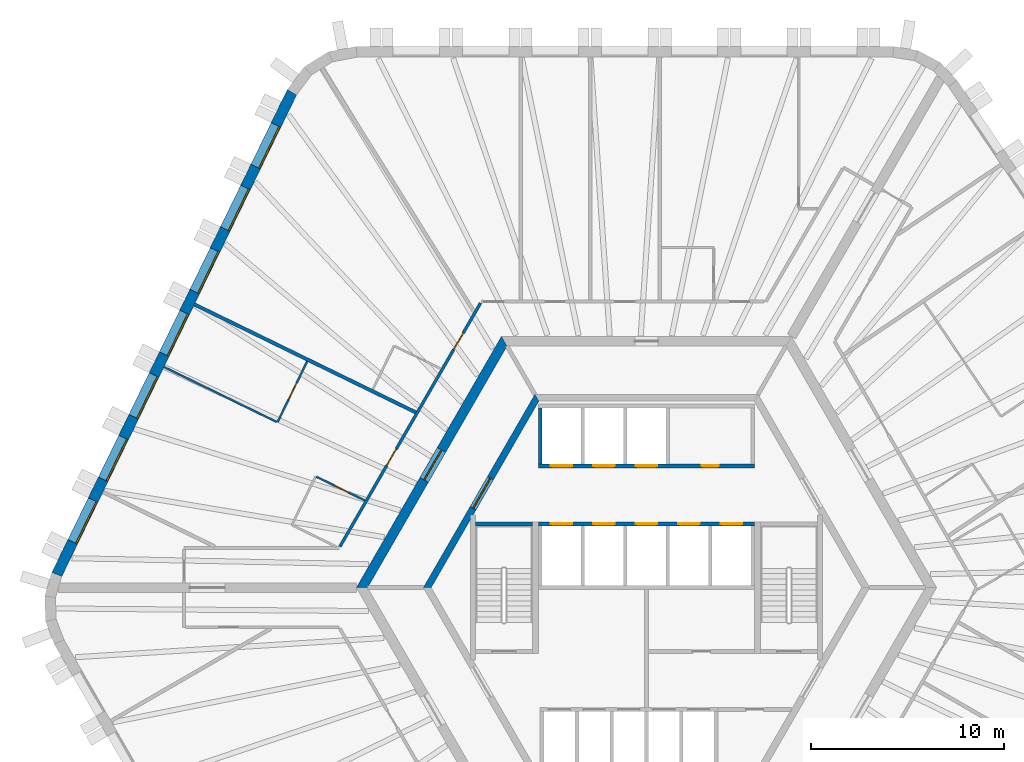
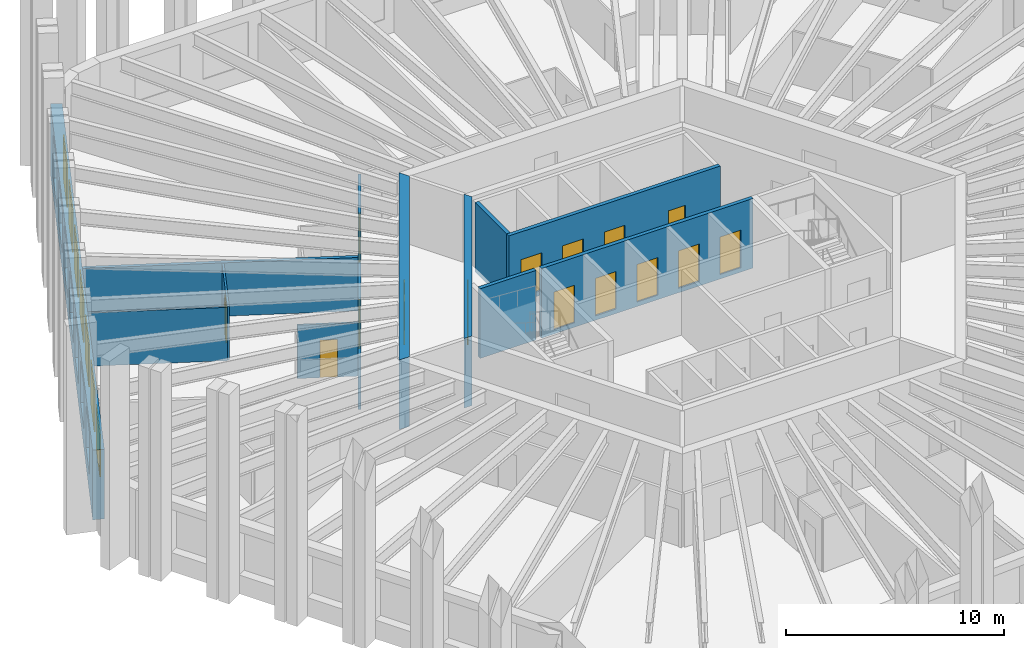
# One storey, part 6 of 9: 15 doors, 12 walls, 7 windows, 22 openings.
"""IFC4 building model written with IfcOpenShell, lengths in metres."""

from ifc_helpers import new_model, si_unit, direction, frame, frame_2d, origin, place, context, subcontext, project, spatial, polyline, rectangle, outline, extrude, material, layer, layer_set, type_object, element, fill, save


model = new_model("IFC4")

# Units and contexts
model_context = context("Model", 3, precision=1e-05, world=origin(), true_north=direction((0.0, 1.0)))
body_context = subcontext(model_context, "Body", "Model", "MODEL_VIEW")
ifc_project = project(units=[si_unit("LENGTHUNIT", "METRE"), si_unit("AREAUNIT", "SQUARE_METRE"), si_unit("VOLUMEUNIT", "CUBIC_METRE"), si_unit("PLANEANGLEUNIT", "RADIAN"), si_unit("MASSUNIT", "GRAM", prefix="KILO")], contexts=[model_context])

# Site, building, storey
site_placement = place(None, origin())
site = spatial("IfcSite", under=ifc_project, at=site_placement, CompositionType="ELEMENT")
building_placement = place(site_placement, origin())
building = spatial("IfcBuilding", under=site, at=building_placement, Name="Tarnside Tower", CompositionType="ELEMENT")
storey_placement = place(building_placement, frame((0.0, 0.0, 215.10009765625)))
storey = spatial("IfcBuildingStorey", under=building, at=storey_placement, Name="L51", CompositionType="ELEMENT", Elevation=215.10009765625)

# Wall, opening, door
ifc_material_1 = material(Name="Gypsum board partition on steel studs", Category="steel")
ifc_layer_1 = layer(ifc_material_1, 0.10009765625)
ifc_layer_set_1 = layer_set([ifc_layer_1], Name="Bathroom wall 100")
wall_type_1 = type_object("IfcWallType", Name="Bathroom wall 100", PredefinedType="PARTITIONING", material=ifc_layer_set_1)
wall_1_placement = place(storey_placement, frame((-17.0771484375, 5.736572265625, 0.0), z_axis=(0.0, 0.0, 1.0), x_axis=(0.898777698277, -0.438404663616, 0.0)))
wall_1 = element("IfcWall", 1, at=wall_1_placement, inside=storey, type_object=wall_type_1, Name="Bathroom wall 17062", PredefinedType="PARTITIONING", context=body_context, shape_type="SweptSolid", body=[
    extrude(rectangle(XDim=2.78955078125, YDim=0.10009765625, at=frame_2d((1.394775390625, 0.0))), origin(), (0.0, 0.0, 1.0), 2.98779296875),
])
opening_1_placement = place(wall_1_placement, frame((1.050048828125, 0.0, 0.0)))
opening_1 = element("IfcOpeningElement", 2, at=opening_1_placement, cuts=wall_1, Name="Opening D-B1", PredefinedType="OPENING", context=body_context, shape_type="SweptSolid", body=[
    extrude(rectangle(XDim=0.800048828125, YDim=2.10009765625, at=frame_2d((0.39990234375, 1.050048828125))), frame((0.0, 0.06005859375, 0.0), z_axis=(0.0, -1.0, 0.0), x_axis=(1.0, 0.0, 0.0)), (0.0, 0.0, 1.0), 0.1201171875),
])
ifc_material_2 = material(Name="Timber door leaf", Category="wood")
door_type_1 = type_object("IfcDoorType", Name="Bathroom door 800", OperationType="NOTDEFINED", PredefinedType="DOOR", material=ifc_material_2)
door_1_placement = place(opening_1_placement, origin())
door_1 = element("IfcDoor", 3, at=door_1_placement, inside=storey, type_object=door_type_1, Name="Bathroom door 17010", OperationType="SINGLE_SWING_LEFT", OverallHeight=2.10009765625, OverallWidth=0.800048828125, PredefinedType="DOOR", context=body_context, shape_type="SweptSolid", body=[
    extrude(rectangle(XDim=0.800048828125, YDim=2.10009765625, at=frame_2d((0.39990234375, 1.050048828125))), frame((0.0, 0.02490234375, 0.0), z_axis=(0.0, -1.0, 0.0), x_axis=(1.0, 0.0, 0.0)), (0.0, 0.0, 1.0), 0.050048828125),
])
fill(opening_1, door_1)

ifc_material_3 = material(Name="Concrete C50/60", Category="concrete")
ifc_layer_2 = layer(ifc_material_3, 0.35009765625)
ifc_layer_set_2 = layer_set([ifc_layer_2], Name="Core block wall 350 C50/60")
wall_type_2 = type_object("IfcWallType", Name="Core block wall 350 C50/60", PredefinedType="SHEAR", material=ifc_layer_set_2)
wall_2_placement = place(storey_placement, frame((-5.672607421875, 9.824951171875, -0.150146484375), z_axis=(0.0, 0.0, 1.0), x_axis=(-0.499995046907, -0.866028263435, 0.0)))
wall_2 = element("IfcWall", 4, at=wall_2_placement, inside=storey, type_object=wall_type_2, Name="L51 core block wall face 2", PredefinedType="SHEAR", context=body_context, shape_type="SweptSolid", body=[
    extrude(outline(polyline([(-0.10107421875, -0.175048828125), (11.44580078125, -0.175048828125), (11.24365234375, 0.175048828125), (0.10107421875, 0.175048828125), (-0.10107421875, -0.175048828125)])), origin(), (0.0, 0.0, 1.0), 3.900146484375),
])
opening_2_placement = place(wall_2_placement, frame((4.80126953125, 0.0, 0.14990234375)))
opening_2 = element("IfcOpeningElement", 5, at=opening_2_placement, cuts=wall_2, Name="Opening CD-LOB", PredefinedType="OPENING", context=body_context, shape_type="SweptSolid", body=[
    extrude(rectangle(XDim=1.800048828125, YDim=2.39990234375, at=frame_2d((0.89990234375, 1.199951171875))), frame((0.0, 0.18505859375, 0.0), z_axis=(0.0, -1.0, 0.0), x_axis=(1.0, 0.0, 0.0)), (0.0, 0.0, 1.0), 0.3701171875),
])
ifc_material_4 = material(Name="Steel fire door", Category="steel")
door_type_2 = type_object("IfcDoorType", Name="Lobby double door FD30S 1800x2400", OperationType="NOTDEFINED", PredefinedType="DOOR", material=ifc_material_4)
door_2_placement = place(opening_2_placement, origin())
door_2 = element("IfcDoor", 6, at=door_2_placement, inside=storey, type_object=door_type_2, Name="L51 lobby block door P1", OperationType="DOUBLE_DOOR_SINGLE_SWING", OverallHeight=2.39990234375, OverallWidth=1.800048828125, PredefinedType="DOOR", context=body_context, shape_type="SweptSolid", body=[
    extrude(rectangle(XDim=1.800048828125, YDim=2.39990234375, at=frame_2d((0.89990234375, 1.199951171875))), frame((0.0, 0.02490234375, 0.0), z_axis=(0.0, -1.0, 0.0), x_axis=(1.0, 0.0, 0.0)), (0.0, 0.0, 1.0), 0.050048828125),
])
fill(opening_2, door_2)

ifc_material_5 = material(Name="Concrete C70/85", Category="concrete")
ifc_layer_3 = layer(ifc_material_5, 0.5)
ifc_layer_set_3 = layer_set([ifc_layer_3], Name="Core wall Z2 500 C70/85")
wall_type_3 = type_object("IfcWallType", Name="Core wall Z2 500 C70/85", PredefinedType="SHEAR", material=ifc_layer_set_3)
wall_3_placement = place(storey_placement, frame((-7.361083984375, 12.75, -0.150146484375), z_axis=(0.0, 0.0, 1.0), x_axis=(-0.50000571537, -0.866022103989, 0.0)))
wall_3 = element("IfcWall", 7, at=wall_3_placement, inside=storey, type_object=wall_type_3, Name="L51 core wall face 2", PredefinedType="SHEAR", context=body_context, shape_type="SweptSolid", body=[
    extrude(outline(polyline([(-0.144287109375, -0.25), (14.86669921875, -0.25), (14.578125, 0.25), (0.144287109375, 0.25), (-0.144287109375, -0.25)])), origin(), (0.0, 0.0, 1.0), 3.900146484375),
])
opening_3_placement = place(wall_3_placement, frame((6.489990234375, 0.0, 0.14990234375)))
opening_3 = element("IfcOpeningElement", 8, at=opening_3_placement, cuts=wall_3, Name="Opening CD-LOB", PredefinedType="OPENING", context=body_context, shape_type="SweptSolid", body=[
    extrude(rectangle(XDim=1.800048828125, YDim=2.39990234375, at=frame_2d((0.89990234375, 1.199951171875))), frame((0.0, 0.260009765625, 0.0), z_axis=(0.0, -1.0, 0.0), x_axis=(1.0, 0.0, 0.0)), (0.0, 0.0, 1.0), 0.52001953125),
])
door_3_placement = place(opening_3_placement, origin())
door_3 = element("IfcDoor", 9, at=door_3_placement, inside=storey, type_object=door_type_2, Name="L51 core door P1", OperationType="DOUBLE_DOOR_SINGLE_SWING", OverallHeight=2.39990234375, OverallWidth=1.800048828125, PredefinedType="DOOR", context=body_context, shape_type="SweptSolid", body=[
    extrude(rectangle(XDim=1.800048828125, YDim=2.39990234375, at=frame_2d((0.89990234375, 1.199951171875))), frame((0.0, 0.02490234375, 0.0), z_axis=(0.0, -1.0, 0.0), x_axis=(1.0, 0.0, 0.0)), (0.0, 0.0, 1.0), 0.050048828125),
])
fill(opening_3, door_3)

# Wall, openings, doors
ifc_layer_4 = layer(ifc_material_1, 0.14990234375)
ifc_layer_set_4 = layer_set([ifc_layer_4], Name="Corridor wall 150 EI 60")
wall_type_4 = type_object("IfcWallType", Name="Corridor wall 150 EI 60", PredefinedType="PARTITIONING", material=ifc_layer_set_4)
wall_4_placement = place(storey_placement, frame((-8.588134765625, 14.72509765625, 0.0), z_axis=(0.0, 0.0, 1.0), x_axis=(-0.499999403554, -0.866025748143, 0.0)))
wall_4 = element("IfcWall", 10, at=wall_4_placement, inside=storey, type_object=wall_type_4, Name="Corridor wall 17009", PredefinedType="PARTITIONING", context=body_context, shape_type="SweptSolid", body=[
    extrude(rectangle(XDim=14.54931640625, YDim=0.14990234375, at=frame_2d((7.274658203125, 0.0))), origin(), (0.0, 0.0, 1.0), 2.98779296875),
])
opening_4_placement = place(wall_4_placement, frame((1.781494140625, 0.0, 0.0)))
opening_4 = element("IfcOpeningElement", 11, at=opening_4_placement, cuts=wall_4, Name="Opening D-E1", PredefinedType="OPENING", context=body_context, shape_type="SweptSolid", body=[
    extrude(rectangle(XDim=1.0, YDim=2.10009765625, at=frame_2d((0.5, 1.050048828125))), frame((0.0, 0.0849609375, 0.0), z_axis=(0.0, -1.0, 0.0), x_axis=(1.0, 0.0, 0.0)), (0.0, 0.0, 1.0), 0.169921875),
])
opening_5_placement = place(wall_4_placement, frame((8.705322265625, 0.0, 0.0)))
opening_5 = element("IfcOpeningElement", 12, at=opening_5_placement, cuts=wall_4, Name="Opening D-E1", PredefinedType="OPENING", context=body_context, shape_type="SweptSolid", body=[
    extrude(rectangle(XDim=1.0, YDim=2.10009765625, at=frame_2d((0.5, 1.050048828125))), frame((0.0, 0.0849609375, 0.0), z_axis=(0.0, -1.0, 0.0), x_axis=(1.0, 0.0, 0.0)), (0.0, 0.0, 1.0), 0.169921875),
])
door_type_3 = type_object("IfcDoorType", Name="Unit entrance door 1000 FD30S", OperationType="NOTDEFINED", PredefinedType="DOOR", material=ifc_material_2)
door_4_placement = place(opening_4_placement, origin())
door_4 = element("IfcDoor", 13, at=door_4_placement, inside=storey, type_object=door_type_3, Name="Unit door 17007", OperationType="SINGLE_SWING_LEFT", OverallHeight=2.10009765625, OverallWidth=1.0, PredefinedType="DOOR", context=body_context, shape_type="SweptSolid", body=[
    extrude(rectangle(XDim=1.0, YDim=2.10009765625, at=frame_2d((0.5, 1.050048828125))), frame((0.0, 0.02490234375, 0.0), z_axis=(0.0, -1.0, 0.0), x_axis=(1.0, 0.0, 0.0)), (0.0, 0.0, 1.0), 0.050048828125),
])
fill(opening_4, door_4)
door_5_placement = place(opening_5_placement, origin())
door_5 = element("IfcDoor", 14, at=door_5_placement, inside=storey, type_object=door_type_3, Name="Unit door 17009", OperationType="SINGLE_SWING_RIGHT", OverallHeight=2.10009765625, OverallWidth=1.0, PredefinedType="DOOR", context=body_context, shape_type="SweptSolid", body=[
    extrude(rectangle(XDim=1.0, YDim=2.10009765625, at=frame_2d((0.5, 1.050048828125))), frame((0.0, 0.02490234375, 0.0), z_axis=(0.0, -1.0, 0.0), x_axis=(1.0, 0.0, 0.0)), (0.0, 0.0, 1.0), 0.050048828125),
])
fill(opening_5, door_5)

# Wall
ifc_layer_5 = layer(ifc_material_1, 0.179931640625)
ifc_layer_set_5 = layer_set([ifc_layer_5], Name="Demising wall 180 EI 60")
wall_type_5 = type_object("IfcWallType", Name="Demising wall 180 EI 60", PredefinedType="PARTITIONING", material=ifc_layer_set_5)
wall_5_placement = place(storey_placement, frame((-23.392822265625, 14.656005859375, 0.0), z_axis=(0.0, 0.0, 1.0), x_axis=(0.898790356386, -0.438378712152, 0.0)))
element("IfcWall", 15, at=wall_5_placement, inside=storey, type_object=wall_type_5, Name="Demising wall 17057", PredefinedType="PARTITIONING", context=body_context, shape_type="SweptSolid", body=[
    extrude(rectangle(XDim=12.742919921875, YDim=0.179931640625, at=frame_2d((6.37158203125, 0.0))), origin(), (0.0, 0.0, 1.0), 2.98779296875),
])

# Wall, openings, doors
ifc_material_6 = material(Name="Concrete C40/50", Category="concrete")
ifc_layer_6 = layer(ifc_material_6, 0.199951171875)
ifc_layer_set_6 = layer_set([ifc_layer_6], Name="Lift shaft wall 200 C40/50")
wall_type_6 = type_object("IfcWallType", Name="Lift shaft wall 200 C40/50", PredefinedType="SHEAR", material=ifc_layer_set_6)
wall_6_placement = place(storey_placement, frame((-5.60009765625, 6.300048828125, -0.25), z_axis=(0.0, 0.0, 1.0), x_axis=(1.0, 0.0, 0.0)))
wall_6 = element("IfcWall", 16, at=wall_6_placement, inside=storey, type_object=wall_type_6, Name="L51 lift shaft front wall R1", PredefinedType="SHEAR", context=body_context, shape_type="SweptSolid", body=[
    extrude(rectangle(XDim=11.2001953125, YDim=0.199951171875, at=frame_2d((5.60009765625, 0.0))), origin(), (0.0, 0.0, 1.0), 3.89990234375),
])
opening_6_placement = place(wall_6_placement, frame((8.449951171875, 0.0, 0.25)))
opening_6 = element("IfcOpeningElement", 17, at=opening_6_placement, cuts=wall_6, Name="Opening CD-room", PredefinedType="OPENING", context=body_context, shape_type="SweptSolid", body=[
    extrude(rectangle(XDim=0.89990234375, YDim=2.10009765625, at=frame_2d((0.449951171875, 1.050048828125))), frame((0.0, 0.10986328125, 0.0), z_axis=(0.0, -1.0, 0.0), x_axis=(1.0, 0.0, 0.0)), (0.0, 0.0, 1.0), 0.219970703125),
])
opening_7_placement = place(wall_6_placement, frame((0.64990234375, 0.0, 0.25)))
opening_7 = element("IfcOpeningElement", 18, at=opening_7_placement, cuts=wall_6, Name="Opening LD", PredefinedType="OPENING", context=body_context, shape_type="SweptSolid", body=[
    extrude(rectangle(XDim=1.10009765625, YDim=2.10009765625, at=frame_2d((0.550048828125, 1.050048828125))), frame((0.0, 0.10986328125, 0.0), z_axis=(0.0, -1.0, 0.0), x_axis=(1.0, 0.0, 0.0)), (0.0, 0.0, 1.0), 0.219970703125),
])
opening_8_placement = place(wall_6_placement, frame((2.85009765625, 0.0, 0.25)))
opening_8 = element("IfcOpeningElement", 19, at=opening_8_placement, cuts=wall_6, Name="Opening LD", PredefinedType="OPENING", context=body_context, shape_type="SweptSolid", body=[
    extrude(rectangle(XDim=1.10009765625, YDim=2.10009765625, at=frame_2d((0.550048828125, 1.050048828125))), frame((0.0, 0.10986328125, 0.0), z_axis=(0.0, -1.0, 0.0), x_axis=(1.0, 0.0, 0.0)), (0.0, 0.0, 1.0), 0.219970703125),
])
opening_9_placement = place(wall_6_placement, frame((5.050048828125, 0.0, 0.25)))
opening_9 = element("IfcOpeningElement", 20, at=opening_9_placement, cuts=wall_6, Name="Opening LD", PredefinedType="OPENING", context=body_context, shape_type="SweptSolid", body=[
    extrude(rectangle(XDim=1.10009765625, YDim=2.10009765625, at=frame_2d((0.550048828125, 1.050048828125))), frame((0.0, 0.10986328125, 0.0), z_axis=(0.0, -1.0, 0.0), x_axis=(1.0, 0.0, 0.0)), (0.0, 0.0, 1.0), 0.219970703125),
])
ifc_material_7 = material(Name="Stainless steel", Category="steel")
door_type_4 = type_object("IfcDoorType", Name="Lift landing door 1100x2100", OperationType="NOTDEFINED", PredefinedType="DOOR", material=ifc_material_7)
door_6_placement = place(opening_7_placement, origin())
door_6 = element("IfcDoor", 21, at=door_6_placement, inside=storey, type_object=door_type_4, Name="Mid-rise lift 1 landing door L51", OperationType="SLIDING_TO_LEFT", OverallHeight=2.10009765625, OverallWidth=1.10009765625, PredefinedType="DOOR", context=body_context, shape_type="SweptSolid", body=[
    extrude(rectangle(XDim=1.10009765625, YDim=2.10009765625, at=frame_2d((0.550048828125, 1.050048828125))), frame((0.0, 0.02490234375, 0.0), z_axis=(0.0, -1.0, 0.0), x_axis=(1.0, 0.0, 0.0)), (0.0, 0.0, 1.0), 0.050048828125),
])
fill(opening_7, door_6)
door_7_placement = place(opening_8_placement, origin())
door_7 = element("IfcDoor", 22, at=door_7_placement, inside=storey, type_object=door_type_4, Name="Mid-rise lift 2 landing door L51", OperationType="SLIDING_TO_LEFT", OverallHeight=2.10009765625, OverallWidth=1.10009765625, PredefinedType="DOOR", context=body_context, shape_type="SweptSolid", body=[
    extrude(rectangle(XDim=1.10009765625, YDim=2.10009765625, at=frame_2d((0.550048828125, 1.050048828125))), frame((0.0, 0.02490234375, 0.0), z_axis=(0.0, -1.0, 0.0), x_axis=(1.0, 0.0, 0.0)), (0.0, 0.0, 1.0), 0.050048828125),
])
fill(opening_8, door_7)
door_8_placement = place(opening_9_placement, origin())
door_8 = element("IfcDoor", 23, at=door_8_placement, inside=storey, type_object=door_type_4, Name="Mid-rise lift 3 landing door L51", OperationType="SLIDING_TO_LEFT", OverallHeight=2.10009765625, OverallWidth=1.10009765625, PredefinedType="DOOR", context=body_context, shape_type="SweptSolid", body=[
    extrude(rectangle(XDim=1.10009765625, YDim=2.10009765625, at=frame_2d((0.550048828125, 1.050048828125))), frame((0.0, 0.02490234375, 0.0), z_axis=(0.0, -1.0, 0.0), x_axis=(1.0, 0.0, 0.0)), (0.0, 0.0, 1.0), 0.050048828125),
])
fill(opening_9, door_8)
door_type_5 = type_object("IfcDoorType", Name="Room door FD60 900x2100", OperationType="NOTDEFINED", PredefinedType="DOOR", material=ifc_material_4)
door_9_placement = place(opening_6_placement, origin())
door_9 = element("IfcDoor", 24, at=door_9_placement, inside=storey, type_object=door_type_5, Name="L51 core room door FC1", OperationType="SINGLE_SWING_LEFT", OverallHeight=2.10009765625, OverallWidth=0.89990234375, PredefinedType="DOOR", context=body_context, shape_type="SweptSolid", body=[
    extrude(rectangle(XDim=0.89990234375, YDim=2.10009765625, at=frame_2d((0.449951171875, 1.050048828125))), frame((0.0, 0.02490234375, 0.0), z_axis=(0.0, -1.0, 0.0), x_axis=(1.0, 0.0, 0.0)), (0.0, 0.0, 1.0), 0.050048828125),
])
fill(opening_6, door_9)

# Wall
wall_7_placement = place(storey_placement, frame((-5.5, 6.39990234375, -0.25), z_axis=(0.0, 0.0, 1.0), x_axis=(0.0, 1.0, 0.0)))
element("IfcWall", 25, at=wall_7_placement, inside=storey, type_object=wall_type_6, Name="L51 lift shaft partition R11", PredefinedType="SHEAR", context=body_context, shape_type="SweptSolid", body=[
    extrude(rectangle(XDim=2.900146484375, YDim=0.199951171875, at=frame_2d((1.4501953125, 0.0))), origin(), (0.0, 0.0, 1.0), 3.89990234375),
])

# Wall, openings, doors
wall_8_placement = place(storey_placement, frame((-5.60009765625, 3.300048828125, -0.25), z_axis=(0.0, 0.0, 1.0), x_axis=(1.0, 0.0, 0.0)))
wall_8 = element("IfcWall", 26, at=wall_8_placement, inside=storey, type_object=wall_type_6, Name="L51 lift shaft front wall R2", PredefinedType="SHEAR", context=body_context, shape_type="SweptSolid", body=[
    extrude(rectangle(XDim=11.2001953125, YDim=0.199951171875, at=frame_2d((5.60009765625, 0.0))), origin(), (0.0, 0.0, 1.0), 3.89990234375),
])
opening_10_placement = place(wall_8_placement, frame((0.64990234375, 0.0, 0.25)))
opening_10 = element("IfcOpeningElement", 27, at=opening_10_placement, cuts=wall_8, Name="Opening LD", PredefinedType="OPENING", context=body_context, shape_type="SweptSolid", body=[
    extrude(rectangle(XDim=1.10009765625, YDim=2.10009765625, at=frame_2d((0.550048828125, 1.050048828125))), frame((0.0, 0.10986328125, 0.0), z_axis=(0.0, -1.0, 0.0), x_axis=(1.0, 0.0, 0.0)), (0.0, 0.0, 1.0), 0.219970703125),
])
opening_11_placement = place(wall_8_placement, frame((2.85009765625, 0.0, 0.25)))
opening_11 = element("IfcOpeningElement", 28, at=opening_11_placement, cuts=wall_8, Name="Opening LD", PredefinedType="OPENING", context=body_context, shape_type="SweptSolid", body=[
    extrude(rectangle(XDim=1.10009765625, YDim=2.10009765625, at=frame_2d((0.550048828125, 1.050048828125))), frame((0.0, 0.10986328125, 0.0), z_axis=(0.0, -1.0, 0.0), x_axis=(1.0, 0.0, 0.0)), (0.0, 0.0, 1.0), 0.219970703125),
])
opening_12_placement = place(wall_8_placement, frame((5.050048828125, 0.0, 0.25)))
opening_12 = element("IfcOpeningElement", 29, at=opening_12_placement, cuts=wall_8, Name="Opening LD", PredefinedType="OPENING", context=body_context, shape_type="SweptSolid", body=[
    extrude(rectangle(XDim=1.10009765625, YDim=2.10009765625, at=frame_2d((0.550048828125, 1.050048828125))), frame((0.0, 0.10986328125, 0.0), z_axis=(0.0, -1.0, 0.0), x_axis=(1.0, 0.0, 0.0)), (0.0, 0.0, 1.0), 0.219970703125),
])
opening_13_placement = place(wall_8_placement, frame((7.25, 0.0, 0.25)))
opening_13 = element("IfcOpeningElement", 30, at=opening_13_placement, cuts=wall_8, Name="Opening LD", PredefinedType="OPENING", context=body_context, shape_type="SweptSolid", body=[
    extrude(rectangle(XDim=1.10009765625, YDim=2.10009765625, at=frame_2d((0.550048828125, 1.050048828125))), frame((0.0, 0.10986328125, 0.0), z_axis=(0.0, -1.0, 0.0), x_axis=(1.0, 0.0, 0.0)), (0.0, 0.0, 1.0), 0.219970703125),
])
opening_14_placement = place(wall_8_placement, frame((9.449951171875, 0.0, 0.25)))
opening_14 = element("IfcOpeningElement", 31, at=opening_14_placement, cuts=wall_8, Name="Opening LD", PredefinedType="OPENING", context=body_context, shape_type="SweptSolid", body=[
    extrude(rectangle(XDim=1.10009765625, YDim=2.10009765625, at=frame_2d((0.550048828125, 1.050048828125))), frame((0.0, 0.10986328125, 0.0), z_axis=(0.0, -1.0, 0.0), x_axis=(1.0, 0.0, 0.0)), (0.0, 0.0, 1.0), 0.219970703125),
])
door_10_placement = place(opening_10_placement, origin())
door_10 = element("IfcDoor", 32, at=door_10_placement, inside=storey, type_object=door_type_4, Name="Mid-rise lift 4 landing door L51", OperationType="SLIDING_TO_LEFT", OverallHeight=2.10009765625, OverallWidth=1.10009765625, PredefinedType="DOOR", context=body_context, shape_type="SweptSolid", body=[
    extrude(rectangle(XDim=1.10009765625, YDim=2.10009765625, at=frame_2d((0.550048828125, 1.050048828125))), frame((0.0, 0.02490234375, 0.0), z_axis=(0.0, -1.0, 0.0), x_axis=(1.0, 0.0, 0.0)), (0.0, 0.0, 1.0), 0.050048828125),
])
fill(opening_10, door_10)
door_11_placement = place(opening_11_placement, origin())
door_11 = element("IfcDoor", 33, at=door_11_placement, inside=storey, type_object=door_type_4, Name="Mid-rise lift 5 landing door L51", OperationType="SLIDING_TO_LEFT", OverallHeight=2.10009765625, OverallWidth=1.10009765625, PredefinedType="DOOR", context=body_context, shape_type="SweptSolid", body=[
    extrude(rectangle(XDim=1.10009765625, YDim=2.10009765625, at=frame_2d((0.550048828125, 1.050048828125))), frame((0.0, 0.02490234375, 0.0), z_axis=(0.0, -1.0, 0.0), x_axis=(1.0, 0.0, 0.0)), (0.0, 0.0, 1.0), 0.050048828125),
])
fill(opening_11, door_11)
door_12_placement = place(opening_12_placement, origin())
door_12 = element("IfcDoor", 34, at=door_12_placement, inside=storey, type_object=door_type_4, Name="Mid-rise lift 6 landing door L51", OperationType="SLIDING_TO_LEFT", OverallHeight=2.10009765625, OverallWidth=1.10009765625, PredefinedType="DOOR", context=body_context, shape_type="SweptSolid", body=[
    extrude(rectangle(XDim=1.10009765625, YDim=2.10009765625, at=frame_2d((0.550048828125, 1.050048828125))), frame((0.0, 0.02490234375, 0.0), z_axis=(0.0, -1.0, 0.0), x_axis=(1.0, 0.0, 0.0)), (0.0, 0.0, 1.0), 0.050048828125),
])
fill(opening_12, door_12)
door_13_placement = place(opening_13_placement, origin())
door_13 = element("IfcDoor", 35, at=door_13_placement, inside=storey, type_object=door_type_4, Name="High sky-lobby shuttle 1 landing door L51", OperationType="SLIDING_TO_LEFT", OverallHeight=2.10009765625, OverallWidth=1.10009765625, PredefinedType="DOOR", context=body_context, shape_type="SweptSolid", body=[
    extrude(rectangle(XDim=1.10009765625, YDim=2.10009765625, at=frame_2d((0.550048828125, 1.050048828125))), frame((0.0, 0.02490234375, 0.0), z_axis=(0.0, -1.0, 0.0), x_axis=(1.0, 0.0, 0.0)), (0.0, 0.0, 1.0), 0.050048828125),
])
fill(opening_13, door_13)
door_14_placement = place(opening_14_placement, origin())
door_14 = element("IfcDoor", 36, at=door_14_placement, inside=storey, type_object=door_type_4, Name="Express sky-lobby shuttle 2 landing door L51", OperationType="SLIDING_TO_LEFT", OverallHeight=2.10009765625, OverallWidth=1.10009765625, PredefinedType="DOOR", context=body_context, shape_type="SweptSolid", body=[
    extrude(rectangle(XDim=1.10009765625, YDim=2.10009765625, at=frame_2d((0.550048828125, 1.050048828125))), frame((0.0, 0.02490234375, 0.0), z_axis=(0.0, -1.0, 0.0), x_axis=(1.0, 0.0, 0.0)), (0.0, 0.0, 1.0), 0.050048828125),
])
fill(opening_14, door_14)

# Wall
wall_9_placement = place(storey_placement, frame((-8.85009765625, 3.300048828125, -0.25), z_axis=(0.0, 0.0, 1.0), x_axis=(1.0, 0.0, 0.0)))
element("IfcWall", 37, at=wall_9_placement, inside=storey, type_object=wall_type_6, Name="L51 stair 2 enclosure cap wall n", PredefinedType="SHEAR", context=body_context, shape_type="SweptSolid", body=[
    extrude(rectangle(XDim=2.9501953125, YDim=0.199951171875, at=frame_2d((1.47509765625, 0.0))), origin(), (0.0, 0.0, 1.0), 3.89990234375),
])

# Wall, opening, door
ifc_layer_7 = layer(ifc_material_1, 0.10009765625)
ifc_layer_set_7 = layer_set([ifc_layer_7], Name="Partition 100")
wall_type_7 = type_object("IfcWallType", Name="Partition 100", PredefinedType="PARTITIONING", material=ifc_layer_set_7)
wall_10_placement = place(storey_placement, frame((-17.55712890625, 11.709716796875, 0.0), z_axis=(0.0, 0.0, 1.0), x_axis=(-0.438400335718, -0.898779809321, 0.0)))
wall_10 = element("IfcWall", 38, at=wall_10_placement, inside=storey, type_object=wall_type_7, Name="Partition wall 17063", PredefinedType="PARTITIONING", context=body_context, shape_type="SweptSolid", body=[
    extrude(rectangle(XDim=3.510009765625, YDim=0.10009765625, at=frame_2d((1.7548828125, 0.0))), origin(), (0.0, 0.0, 1.0), 2.98779296875),
])
opening_15_placement = place(wall_10_placement, frame((1.260009765625, 0.0, 0.0)))
opening_15 = element("IfcOpeningElement", 39, at=opening_15_placement, cuts=wall_10, Name="Opening D-I1", PredefinedType="OPENING", context=body_context, shape_type="SweptSolid", body=[
    extrude(rectangle(XDim=0.89990234375, YDim=2.10009765625, at=frame_2d((0.449951171875, 1.050048828125))), frame((0.0, 0.06005859375, 0.0), z_axis=(0.0, -1.0, 0.0), x_axis=(1.0, 0.0, 0.0)), (0.0, 0.0, 1.0), 0.1201171875),
])
door_type_6 = type_object("IfcDoorType", Name="Internal door 900", OperationType="NOTDEFINED", PredefinedType="DOOR", material=ifc_material_2)
door_15_placement = place(opening_15_placement, origin())
door_15 = element("IfcDoor", 40, at=door_15_placement, inside=storey, type_object=door_type_6, Name="Internal door 17011", OperationType="SINGLE_SWING_RIGHT", OverallHeight=2.10009765625, OverallWidth=0.89990234375, PredefinedType="DOOR", context=body_context, shape_type="SweptSolid", body=[
    extrude(rectangle(XDim=0.89990234375, YDim=2.10009765625, at=frame_2d((0.449951171875, 1.050048828125))), frame((0.0, 0.02490234375, 0.0), z_axis=(0.0, -1.0, 0.0), x_axis=(1.0, 0.0, 0.0)), (0.0, 0.0, 1.0), 0.050048828125),
])
fill(opening_15, door_15)

# Wall
wall_11_placement = place(storey_placement, frame((-19.140869140625, 8.57666015625, 0.0), z_axis=(0.0, 0.0, 1.0), x_axis=(-0.898794850282, 0.438369498377, 0.0)))
element("IfcWall", 41, at=wall_11_placement, inside=storey, type_object=wall_type_7, Name="Partition wall 17064", PredefinedType="PARTITIONING", context=body_context, shape_type="SweptSolid", body=[
    extrude(rectangle(XDim=6.486572265625, YDim=0.10009765625, at=frame_2d((3.2431640625, 0.0))), origin(), (0.0, 0.0, 1.0), 2.98779296875),
])

# Wall, openings, windows
ifc_material_8 = material(Name="Facing brick", Category="masonry")
ifc_layer_8 = layer(ifc_material_8, 0.10205078125)
ifc_material_9 = material(Name="Concrete C60/75 precast", Category="concrete")
ifc_layer_9 = layer(ifc_material_9, 0.347900390625)
ifc_material_10 = material(Name="Mineral wool insulation")
ifc_layer_10 = layer(ifc_material_10, 0.10009765625)
ifc_layer_set_8 = layer_set([ifc_layer_8, ifc_layer_9, ifc_layer_10], Name="Tube wall 550 brick faced")
wall_type_8 = type_object("IfcWallType", Name="Tube wall 550 brick faced", PredefinedType="SOLIDWALL", material=ifc_layer_set_8)
wall_12_placement = place(storey_placement, frame((-18.344970703125, 25.6328125, -0.150146484375), z_axis=(0.0, 0.0, 1.0), x_axis=(-0.43837181828, -0.898793718791, 0.0)))
wall_12 = element("IfcWall", 42, at=wall_12_placement, inside=storey, type_object=wall_type_8, Name="Tube wall L51 F2 flush 04", PredefinedType="SOLIDWALL", context=body_context, shape_type="SweptSolid", body=[
    extrude(outline(polyline([(-0.025634765625, -0.27490234375), (27.7802734375, -0.27490234375), (27.7353515625, 0.27490234375), (0.025634765625, 0.27490234375), (-0.025634765625, -0.27490234375)])), origin(), (0.0, 0.0, 1.0), 3.900146484375),
])
opening_16_placement = place(wall_12_placement, frame((1.87890625, 0.0, 1.050048828125)))
opening_16 = element("IfcOpeningElement", 43, at=opening_16_placement, cuts=wall_12, Name="Opening WH", PredefinedType="OPENING", context=body_context, shape_type="SweptSolid", body=[
    extrude(rectangle(XDim=2.39990234375, YDim=2.39990234375, at=frame_2d((1.199951171875, 1.199951171875))), frame((0.0, 0.28515625, 0.0), z_axis=(0.0, -1.0, 0.0), x_axis=(1.0, 0.0, 0.0)), (0.0, 0.0, 1.0), 0.570068359375),
])
opening_17_placement = place(wall_12_placement, frame((5.47900390625, 0.0, 1.050048828125)))
opening_17 = element("IfcOpeningElement", 44, at=opening_17_placement, cuts=wall_12, Name="Opening WH", PredefinedType="OPENING", context=body_context, shape_type="SweptSolid", body=[
    extrude(rectangle(XDim=2.39990234375, YDim=2.39990234375, at=frame_2d((1.199951171875, 1.199951171875))), frame((0.0, 0.28515625, 0.0), z_axis=(0.0, -1.0, 0.0), x_axis=(1.0, 0.0, 0.0)), (0.0, 0.0, 1.0), 0.570068359375),
])
opening_18_placement = place(wall_12_placement, frame((9.078857421875, 0.0, 1.050048828125)))
opening_18 = element("IfcOpeningElement", 45, at=opening_18_placement, cuts=wall_12, Name="Opening WH", PredefinedType="OPENING", context=body_context, shape_type="SweptSolid", body=[
    extrude(rectangle(XDim=2.39990234375, YDim=2.39990234375, at=frame_2d((1.199951171875, 1.199951171875))), frame((0.0, 0.28515625, 0.0), z_axis=(0.0, -1.0, 0.0), x_axis=(1.0, 0.0, 0.0)), (0.0, 0.0, 1.0), 0.570068359375),
])
opening_19_placement = place(wall_12_placement, frame((12.678955078125, 0.0, 1.050048828125)))
opening_19 = element("IfcOpeningElement", 46, at=opening_19_placement, cuts=wall_12, Name="Opening WH", PredefinedType="OPENING", context=body_context, shape_type="SweptSolid", body=[
    extrude(rectangle(XDim=2.39990234375, YDim=2.39990234375, at=frame_2d((1.199951171875, 1.199951171875))), frame((0.0, 0.28515625, 0.0), z_axis=(0.0, -1.0, 0.0), x_axis=(1.0, 0.0, 0.0)), (0.0, 0.0, 1.0), 0.570068359375),
])
opening_20_placement = place(wall_12_placement, frame((16.27880859375, 0.0, 1.050048828125)))
opening_20 = element("IfcOpeningElement", 47, at=opening_20_placement, cuts=wall_12, Name="Opening WH", PredefinedType="OPENING", context=body_context, shape_type="SweptSolid", body=[
    extrude(rectangle(XDim=2.39990234375, YDim=2.39990234375, at=frame_2d((1.199951171875, 1.199951171875))), frame((0.0, 0.28515625, 0.0), z_axis=(0.0, -1.0, 0.0), x_axis=(1.0, 0.0, 0.0)), (0.0, 0.0, 1.0), 0.570068359375),
])
opening_21_placement = place(wall_12_placement, frame((19.87890625, 0.0, 1.050048828125)))
opening_21 = element("IfcOpeningElement", 48, at=opening_21_placement, cuts=wall_12, Name="Opening WH", PredefinedType="OPENING", context=body_context, shape_type="SweptSolid", body=[
    extrude(rectangle(XDim=2.39990234375, YDim=2.39990234375, at=frame_2d((1.199951171875, 1.199951171875))), frame((0.0, 0.28515625, 0.0), z_axis=(0.0, -1.0, 0.0), x_axis=(1.0, 0.0, 0.0)), (0.0, 0.0, 1.0), 0.570068359375),
])
opening_22_placement = place(wall_12_placement, frame((23.47900390625, 0.0, 1.050048828125)))
opening_22 = element("IfcOpeningElement", 49, at=opening_22_placement, cuts=wall_12, Name="Opening WH", PredefinedType="OPENING", context=body_context, shape_type="SweptSolid", body=[
    extrude(rectangle(XDim=2.39990234375, YDim=2.39990234375, at=frame_2d((1.199951171875, 1.199951171875))), frame((0.0, 0.28515625, 0.0), z_axis=(0.0, -1.0, 0.0), x_axis=(1.0, 0.0, 0.0)), (0.0, 0.0, 1.0), 0.570068359375),
])
ifc_material_11 = material(Name="Aluminium-framed double glazing", Category="aluminium")
window_type = type_object("IfcWindowType", Name="Hotel window 2400 x 2400", PartitioningType="DOUBLE_PANEL_VERTICAL", PredefinedType="WINDOW", material=ifc_material_11)
window_1_placement = place(opening_16_placement, frame((0.0, 0.205078125, 0.0)))
window_1 = element("IfcWindow", 50, at=window_1_placement, inside=storey, type_object=window_type, Name="E.WN.L51.F2.00", OverallHeight=2.39990234375, OverallWidth=2.39990234375, PartitioningType="DOUBLE_PANEL_VERTICAL", PredefinedType="WINDOW", context=body_context, shape_type="SweptSolid", body=[
    extrude(rectangle(XDim=2.39990234375, YDim=2.39990234375, at=frame_2d((1.199951171875, 1.199951171875))), frame((0.0, 0.030029296875, 0.0), z_axis=(0.0, -1.0, 0.0), x_axis=(1.0, 0.0, 0.0)), (0.0, 0.0, 1.0), 0.06005859375),
])
fill(opening_16, window_1)
window_2_placement = place(opening_17_placement, frame((0.0, 0.205078125, 0.0)))
window_2 = element("IfcWindow", 51, at=window_2_placement, inside=storey, type_object=window_type, Name="E.WN.L51.F2.01", OverallHeight=2.39990234375, OverallWidth=2.39990234375, PartitioningType="DOUBLE_PANEL_VERTICAL", PredefinedType="WINDOW", context=body_context, shape_type="SweptSolid", body=[
    extrude(rectangle(XDim=2.39990234375, YDim=2.39990234375, at=frame_2d((1.199951171875, 1.199951171875))), frame((0.0, 0.030029296875, 0.0), z_axis=(0.0, -1.0, 0.0), x_axis=(1.0, 0.0, 0.0)), (0.0, 0.0, 1.0), 0.06005859375),
])
fill(opening_17, window_2)
window_3_placement = place(opening_18_placement, frame((0.0, 0.205078125, 0.0)))
window_3 = element("IfcWindow", 52, at=window_3_placement, inside=storey, type_object=window_type, Name="E.WN.L51.F2.02", OverallHeight=2.39990234375, OverallWidth=2.39990234375, PartitioningType="DOUBLE_PANEL_VERTICAL", PredefinedType="WINDOW", context=body_context, shape_type="SweptSolid", body=[
    extrude(rectangle(XDim=2.39990234375, YDim=2.39990234375, at=frame_2d((1.199951171875, 1.199951171875))), frame((0.0, 0.030029296875, 0.0), z_axis=(0.0, -1.0, 0.0), x_axis=(1.0, 0.0, 0.0)), (0.0, 0.0, 1.0), 0.06005859375),
])
fill(opening_18, window_3)
window_4_placement = place(opening_19_placement, frame((0.0, 0.205078125, 0.0)))
window_4 = element("IfcWindow", 53, at=window_4_placement, inside=storey, type_object=window_type, Name="E.WN.L51.F2.03", OverallHeight=2.39990234375, OverallWidth=2.39990234375, PartitioningType="DOUBLE_PANEL_VERTICAL", PredefinedType="WINDOW", context=body_context, shape_type="SweptSolid", body=[
    extrude(rectangle(XDim=2.39990234375, YDim=2.39990234375, at=frame_2d((1.199951171875, 1.199951171875))), frame((0.0, 0.030029296875, 0.0), z_axis=(0.0, -1.0, 0.0), x_axis=(1.0, 0.0, 0.0)), (0.0, 0.0, 1.0), 0.06005859375),
])
fill(opening_19, window_4)
window_5_placement = place(opening_20_placement, frame((0.0, 0.205078125, 0.0)))
window_5 = element("IfcWindow", 54, at=window_5_placement, inside=storey, type_object=window_type, Name="E.WN.L51.F2.04", OverallHeight=2.39990234375, OverallWidth=2.39990234375, PartitioningType="DOUBLE_PANEL_VERTICAL", PredefinedType="WINDOW", context=body_context, shape_type="SweptSolid", body=[
    extrude(rectangle(XDim=2.39990234375, YDim=2.39990234375, at=frame_2d((1.199951171875, 1.199951171875))), frame((0.0, 0.030029296875, 0.0), z_axis=(0.0, -1.0, 0.0), x_axis=(1.0, 0.0, 0.0)), (0.0, 0.0, 1.0), 0.06005859375),
])
fill(opening_20, window_5)
window_6_placement = place(opening_21_placement, frame((0.0, 0.205078125, 0.0)))
window_6 = element("IfcWindow", 55, at=window_6_placement, inside=storey, type_object=window_type, Name="E.WN.L51.F2.05", OverallHeight=2.39990234375, OverallWidth=2.39990234375, PartitioningType="DOUBLE_PANEL_VERTICAL", PredefinedType="WINDOW", context=body_context, shape_type="SweptSolid", body=[
    extrude(rectangle(XDim=2.39990234375, YDim=2.39990234375, at=frame_2d((1.199951171875, 1.199951171875))), frame((0.0, 0.030029296875, 0.0), z_axis=(0.0, -1.0, 0.0), x_axis=(1.0, 0.0, 0.0)), (0.0, 0.0, 1.0), 0.06005859375),
])
fill(opening_21, window_6)
window_7_placement = place(opening_22_placement, frame((0.0, 0.205078125, 0.0)))
window_7 = element("IfcWindow", 56, at=window_7_placement, inside=storey, type_object=window_type, Name="E.WN.L51.F2.06", OverallHeight=2.39990234375, OverallWidth=2.39990234375, PartitioningType="DOUBLE_PANEL_VERTICAL", PredefinedType="WINDOW", context=body_context, shape_type="SweptSolid", body=[
    extrude(rectangle(XDim=2.39990234375, YDim=2.39990234375, at=frame_2d((1.199951171875, 1.199951171875))), frame((0.0, 0.030029296875, 0.0), z_axis=(0.0, -1.0, 0.0), x_axis=(1.0, 0.0, 0.0)), (0.0, 0.0, 1.0), 0.06005859375),
])
fill(opening_22, window_7)

save(model, "model.ifc")
